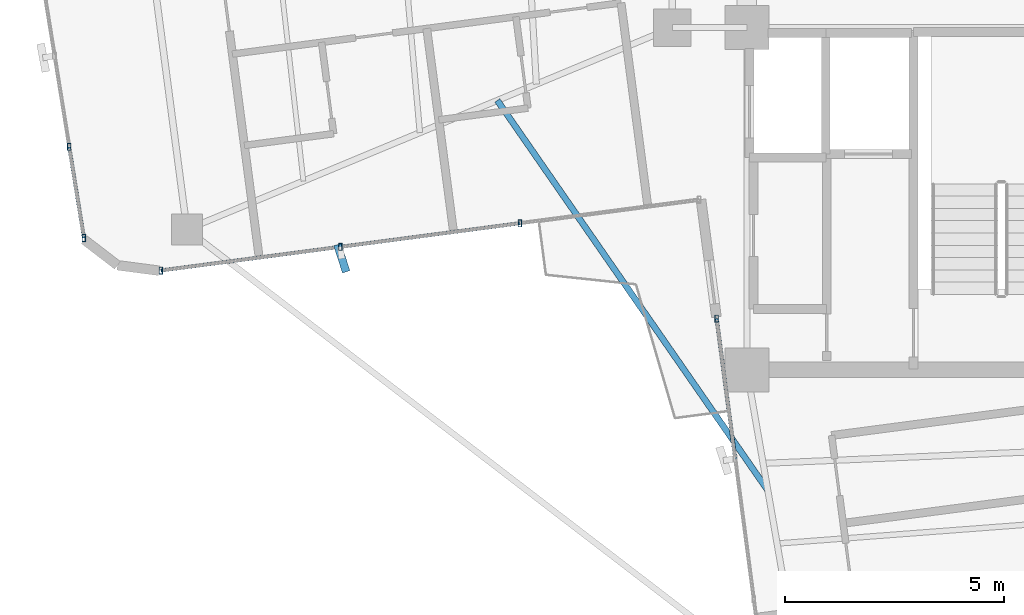
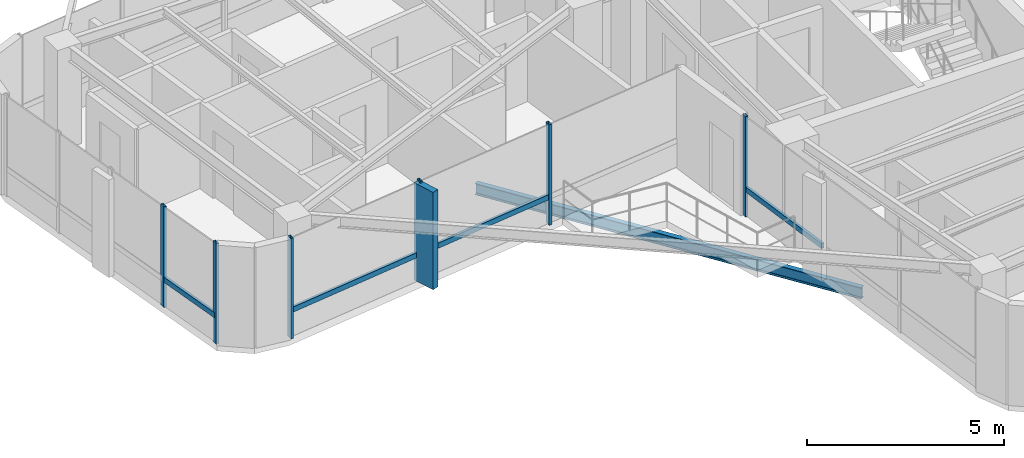
# One storey, part 2 of 22: 11 members, 1 beam, 3 elements without a shape of their own.
"""IFC4 building model written with IfcOpenShell, lengths in metres."""

from ifc_helpers import new_model, si_unit, direction, frame, origin, origin_2d, place, context, subcontext, project, spatial, rectangle, hollow_rectangle, i_section, extrude, source, transform, mapped, material, material_profile, profile_set, type_object, element, aggregate, save


model = new_model("IFC4")

# Units and contexts
model_context = context("Model", 3, precision=1e-05, world=origin(), true_north=direction((0.0, 1.0)))
body_context = subcontext(model_context, "Body", "Model", "MODEL_VIEW")
ifc_project = project(units=[si_unit("LENGTHUNIT", "METRE"), si_unit("AREAUNIT", "SQUARE_METRE"), si_unit("VOLUMEUNIT", "CUBIC_METRE"), si_unit("PLANEANGLEUNIT", "RADIAN"), si_unit("MASSUNIT", "GRAM", prefix="KILO")], contexts=[model_context])

# Site, building, storey
site_placement = place(None, origin())
site = spatial("IfcSite", under=ifc_project, at=site_placement, CompositionType="ELEMENT")
building_placement = place(site_placement, origin())
building = spatial("IfcBuilding", under=site, at=building_placement, Name="Sahyath Konkavel Grand Hotel", CompositionType="ELEMENT")
storey_placement = place(building_placement, frame((0.0, 0.0, 234.449951171875)))
storey = spatial("IfcBuildingStorey", under=building, at=storey_placement, Name="L65", CompositionType="ELEMENT", Elevation=234.449951171875)

# Curtain wall, member
ifc_material_1 = material(Name="Anodised Bronze Aluminium & Low-E Glazing", Category="aluminium")
curtain_wall_type = type_object("IfcCurtainWallType", Name="CW-ZONE4", PredefinedType="NOTDEFINED", material=ifc_material_1)
curtain_wall_1_placement = place(storey_placement, origin())
curtain_wall_1 = element("IfcCurtainWall", 1, at=curtain_wall_1_placement, inside=storey, type_object=curtain_wall_type, Name="L65 Unitised Curtain Wall F23", PredefinedType="NOTDEFINED")
ifc_material_2 = material(Name="Warm Buff Sandstone Cladding on Concrete C50/60", Category="masonry")
ifc_material_profile_1 = material_profile(ifc_material_2, rectangle(XDim=0.179931640625, YDim=0.64990234375, at=origin_2d()), Name="FIN 180x650")
ifc_profile_set_1 = profile_set([ifc_material_profile_1], Name="Warm Buff Sandstone Cladding on Concrete C50/60")
member_type_1 = type_object("IfcMemberType", Name="FIN-SANDSTONE-650", PredefinedType="MULLION", material=ifc_profile_set_1)
shared_shape_1 = source(origin(), body_context, "Body", "SweptSolid", [
    extrude(rectangle(XDim=0.179931640625, YDim=0.64990234375, at=origin_2d()), origin(), (0.0, 0.0, 1.0), 3.010009765625),
])
member_1_placement = place(storey_placement, frame((-13.030517578125, -7.6552734375, 0.050048828125), z_axis=(0.0, 0.0, 1.0), x_axis=(0.952236042525, 0.30536293049, 0.0)))
member_1 = element("IfcMember", 2, at=member_1_placement, type_object=member_type_1, Name="L65 Sandstone Vertical Solar Fin FIN F23-1", PredefinedType="MULLION", context=body_context, shape_type="MappedRepresentation", body=[
    mapped(shared_shape_1, transform((0.0, 0.0, 0.0), scale=1.0)),
])

# Curtain wall, members
curtain_wall_2_placement = place(storey_placement, origin())
curtain_wall_2 = element("IfcCurtainWall", 3, at=curtain_wall_2_placement, inside=storey, type_object=curtain_wall_type, Name="L65 Unitised Curtain Wall F20", PredefinedType="NOTDEFINED")
ifc_material_3 = material(Name="Anodised Bronze Aluminium", Category="aluminium")
ifc_material_profile_2 = material_profile(ifc_material_3, hollow_rectangle(XDim=0.080078125, YDim=0.159912109375, WallThickness=0.006103515625, at=origin_2d()), Name="RHS 160x80x6")
ifc_profile_set_2 = profile_set([ifc_material_profile_2], Name="Anodised Bronze Aluminium")
member_type_2 = type_object("IfcMemberType", Name="CW-MUL-160", PredefinedType="MULLION", material=ifc_profile_set_2)
shared_shape_2 = source(origin(), body_context, "Body", "SweptSolid", [
    extrude(hollow_rectangle(XDim=0.080078125, YDim=0.159912109375, WallThickness=0.006103515625, at=origin_2d()), origin(), (0.0, 0.0, 1.0), 3.110107421875),
])
member_2_placement = place(storey_placement, frame((-19.244140625, -5.118896484375, 0.0), z_axis=(0.0, 0.0, 1.0), x_axis=(1.0, 0.0, 0.0)))
member_2 = element("IfcMember", 4, at=member_2_placement, type_object=member_type_2, Name="L65 Curtain Wall Mullion F20-3", PredefinedType="MULLION", context=body_context, shape_type="MappedRepresentation", body=[
    mapped(shared_shape_2, transform((0.0, 0.0, 0.0), scale=1.0)),
])
member_3_placement = place(storey_placement, frame((-18.9091796875, -7.193603515625, 0.0), z_axis=(0.0, 0.0, 1.0), x_axis=(1.0, 0.0, 0.0)))
member_3 = element("IfcMember", 5, at=member_3_placement, type_object=member_type_2, Name="L65 Curtain Wall Mullion F20-4", PredefinedType="MULLION", context=body_context, shape_type="MappedRepresentation", body=[
    mapped(shared_shape_2, transform((0.0, 0.0, 0.0), scale=1.0)),
])

# Member
member_4_placement = place(storey_placement, frame((-17.15380859375, -7.935791015625, 0.0), z_axis=(0.0, 0.0, 1.0), x_axis=(1.0, 0.0, 0.0)))
member_4 = element("IfcMember", 6, at=member_4_placement, type_object=member_type_2, Name="L65 Curtain Wall Mullion F23-0", PredefinedType="MULLION", context=body_context, shape_type="MappedRepresentation", body=[
    mapped(shared_shape_2, transform((0.0, 0.0, 0.0), scale=1.0)),
])

member_5_placement = place(storey_placement, frame((-13.064453125, -7.3974609375, 0.0), z_axis=(0.0, 0.0, 1.0), x_axis=(1.0, 0.0, 0.0)))
member_5 = element("IfcMember", 7, at=member_5_placement, type_object=member_type_2, Name="L65 Curtain Wall Mullion F23-1", PredefinedType="MULLION", context=body_context, shape_type="MappedRepresentation", body=[
    mapped(shared_shape_2, transform((0.0, 0.0, 0.0), scale=1.0)),
])

member_6_placement = place(storey_placement, frame((-8.97509765625, -6.859130859375, 0.0), z_axis=(0.0, 0.0, 1.0), x_axis=(1.0, 0.0, 0.0)))
member_6 = element("IfcMember", 8, at=member_6_placement, type_object=member_type_2, Name="L65 Curtain Wall Mullion F23-2", PredefinedType="MULLION", context=body_context, shape_type="MappedRepresentation", body=[
    mapped(shared_shape_2, transform((0.0, 0.0, 0.0), scale=1.0)),
])

# Curtain wall, members
curtain_wall_3_placement = place(storey_placement, origin())
curtain_wall_3 = element("IfcCurtainWall", 9, at=curtain_wall_3_placement, inside=storey, type_object=curtain_wall_type, Name="L65 Unitised Curtain Wall F24", PredefinedType="NOTDEFINED")
member_7_placement = place(storey_placement, frame((-4.488525390625, -9.0322265625, 0.0), z_axis=(0.0, 0.0, 1.0), x_axis=(1.0, 0.0, 0.0)))
member_7 = element("IfcMember", 10, at=member_7_placement, type_object=member_type_2, Name="L65 Curtain Wall Mullion F24-0", PredefinedType="MULLION", context=body_context, shape_type="MappedRepresentation", body=[
    mapped(shared_shape_2, transform((0.0, 0.0, 0.0), scale=1.0)),
])
ifc_material_profile_3 = material_profile(ifc_material_3, hollow_rectangle(XDim=0.080078125, YDim=0.159912109375, WallThickness=0.006103515625, at=origin_2d()), Name="RHS 160x80x6")
ifc_profile_set_3 = profile_set([ifc_material_profile_3], Name="Anodised Bronze Aluminium")
member_type_3 = type_object("IfcMemberType", Name="CW-TRN-160", PredefinedType="USERDEFINED", material=ifc_profile_set_3)
shared_shape_3 = source(origin(), body_context, "Body", "SweptSolid", [
    extrude(hollow_rectangle(XDim=0.080078125, YDim=0.159912109375, WallThickness=0.006103515625, at=origin_2d()), origin(), (0.0, 0.0, 1.0), 3.224609375),
])
member_8_placement = place(storey_placement, frame((-4.488525390625, -9.0322265625, 0.85009765625), z_axis=(0.13052697693, -0.991444758064, 0.0), x_axis=(0.991444758064, 0.13052697693, 0.0)))
member_8 = element("IfcMember", 11, at=member_8_placement, type_object=member_type_3, Name="L65 Curtain Wall Transom F24-0-spandrel", ObjectType="TRANSOM", PredefinedType="USERDEFINED", context=body_context, shape_type="MappedRepresentation", body=[
    mapped(shared_shape_3, transform((0.0, 0.0, 0.0), scale=1.0)),
])
aggregate(curtain_wall_3, [member_7, member_8])

# Member
shared_shape_4 = source(origin(), body_context, "Body", "SweptSolid", [
    extrude(hollow_rectangle(XDim=0.080078125, YDim=0.159912109375, WallThickness=0.006103515625, at=origin_2d()), origin(), (0.0, 0.0, 1.0), 2.1015625),
])
member_9_placement = place(storey_placement, frame((-19.244140625, -5.118896484375, 0.85009765625), z_axis=(0.159385838432, -0.987216366612, 0.0), x_axis=(0.987216366612, 0.159385838432, 0.0)))
member_9 = element("IfcMember", 12, at=member_9_placement, type_object=member_type_3, Name="L65 Curtain Wall Transom F20-3-spandrel", ObjectType="TRANSOM", PredefinedType="USERDEFINED", context=body_context, shape_type="MappedRepresentation", body=[
    mapped(shared_shape_4, transform((0.0, 0.0, 0.0), scale=1.0)),
])

aggregate(curtain_wall_2, [member_2, member_3, member_9])

shared_shape_5 = source(origin(), body_context, "Body", "SweptSolid", [
    extrude(hollow_rectangle(XDim=0.080078125, YDim=0.159912109375, WallThickness=0.006103515625, at=origin_2d()), origin(), (0.0, 0.0, 1.0), 4.124755859375),
])
member_10_placement = place(storey_placement, frame((-17.15380859375, -7.935791015625, 0.85009765625), z_axis=(0.991446234996, 0.130515758099, 0.0), x_axis=(-0.130515758099, 0.991446234996, 0.0)))
member_10 = element("IfcMember", 13, at=member_10_placement, type_object=member_type_3, Name="L65 Curtain Wall Transom F23-0-spandrel", ObjectType="TRANSOM", PredefinedType="USERDEFINED", context=body_context, shape_type="MappedRepresentation", body=[
    mapped(shared_shape_5, transform((0.0, 0.0, 0.0), scale=1.0)),
])

member_11_placement = place(storey_placement, frame((-13.064453125, -7.3974609375, 0.85009765625), z_axis=(0.991446234996, 0.130515758099, 0.0), x_axis=(-0.130515758099, 0.991446234996, 0.0)))
member_11 = element("IfcMember", 14, at=member_11_placement, type_object=member_type_3, Name="L65 Curtain Wall Transom F23-1-spandrel", ObjectType="TRANSOM", PredefinedType="USERDEFINED", context=body_context, shape_type="MappedRepresentation", body=[
    mapped(shared_shape_5, transform((0.0, 0.0, 0.0), scale=1.0)),
])

aggregate(curtain_wall_1, [member_4, member_5, member_1, member_6, member_10, member_11])

# Beam
ifc_material_4 = material(Name="Steel E350", Category="steel")
ifc_material_profile_4 = material_profile(ifc_material_4, i_section(OverallWidth=0.139892578125, OverallDepth=0.35009765625, WebThickness=0.008056640625, FlangeThickness=0.01416015625, FilletRadius=0.013916015625, at=origin_2d()), Name="ISMB 350")
ifc_profile_set_4 = profile_set([ifc_material_profile_4], Name="Steel E350")
beam_type = type_object("IfcBeamType", Name="BM-BALC-CANT", PredefinedType="BEAM", material=ifc_profile_set_4)
shared_shape_6 = source(origin(), body_context, "Body", "SweptSolid", [
    extrude(i_section(OverallWidth=0.139892578125, OverallDepth=0.35009765625, WebThickness=0.008056640625, FlangeThickness=0.01416015625, FilletRadius=0.013916015625, at=origin_2d()), origin(), (0.0, 0.0, 1.0), 10.813720703125),
])
beam_placement = place(storey_placement, frame((-9.48681640625, -4.058349609375, -0.4150390625), z_axis=(0.569908302215, -0.821708298039, 0.0), x_axis=(0.821708298039, 0.569908302215, 0.0)))
element("IfcBeam", 15, at=beam_placement, inside=storey, type_object=beam_type, Name="L65 Balcony Cantilever Support Beam SW", PredefinedType="BEAM", context=body_context, shape_type="MappedRepresentation", body=[
    mapped(shared_shape_6, transform((0.0, 0.0, 0.0), scale=1.0)),
])

save(model, "model.ifc")
